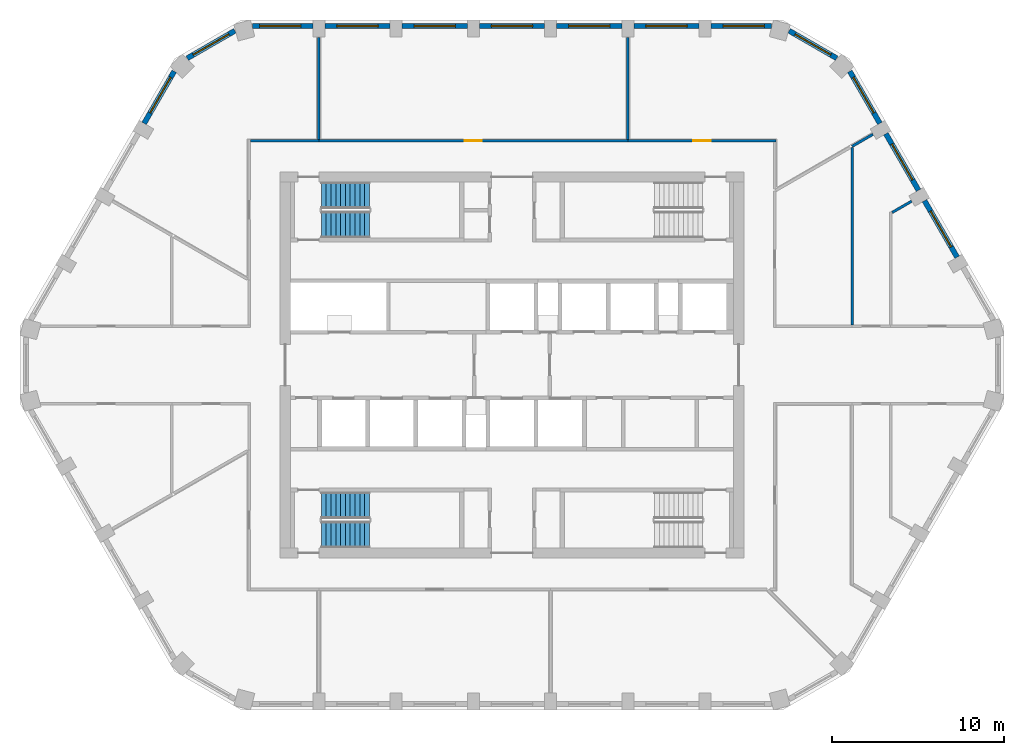
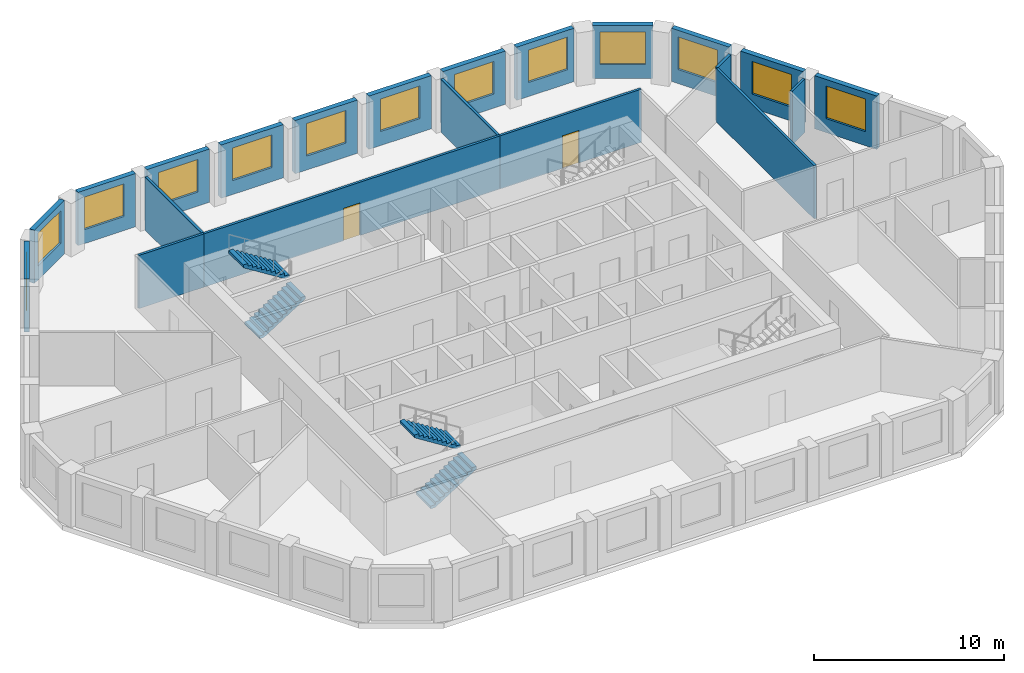
# One storey, part 6 of 11: 21 walls, 13 windows, 4 stair flights, 2 doors, 15 openings, 2 elements without a shape of their own.
"""IFC4 building model written with IfcOpenShell, lengths in metres."""

from ifc_helpers import new_model, si_unit, direction, frame, frame_2d, origin, place, context, subcontext, project, spatial, polyline, rectangle, outline, extrude, material, layer, layer_set, type_object, element, fill, aggregate, save


model = new_model("IFC4")

# Units and contexts
model_context = context("Model", 3, precision=1e-05, world=origin(), true_north=direction((0.0, 1.0)))
body_context = subcontext(model_context, "Body", "Model", "MODEL_VIEW")
ifc_project = project(units=[si_unit("LENGTHUNIT", "METRE"), si_unit("AREAUNIT", "SQUARE_METRE"), si_unit("VOLUMEUNIT", "CUBIC_METRE"), si_unit("PLANEANGLEUNIT", "RADIAN"), si_unit("MASSUNIT", "GRAM", prefix="KILO")], contexts=[model_context])

# Site, building, storey
site_placement = place(None, origin())
site = spatial("IfcSite", under=ifc_project, at=site_placement, CompositionType="ELEMENT")
building_placement = place(site_placement, origin())
building = spatial("IfcBuilding", under=site, at=building_placement, Name="Dhurran Vertical Campus", CompositionType="ELEMENT")
storey_placement = place(building_placement, frame((0.0, 0.0, 278.10009765625)))
storey = spatial("IfcBuildingStorey", under=building, at=storey_placement, Name="L69", CompositionType="ELEMENT", Elevation=278.10009765625)

# Wall, opening, window
ifc_material_1 = material(Name="Precast concrete C50/60", Category="concrete")
ifc_layer_1 = layer(ifc_material_1, 0.300048828125)
ifc_layer_set_1 = layer_set([ifc_layer_1], Name="Precast concrete C50/60")
wall_type_1 = type_object("IfcWallType", Name="Precast spandrel wall 300", PredefinedType="SOLIDWALL", material=ifc_layer_set_1)
wall_1_placement = place(storey_placement, frame((25.918701171875, 6.275634765625, 0.0), z_axis=(0.0, 0.0, 1.0), x_axis=(-0.499982058975, 0.866035761792, 0.0)))
wall_1 = element("IfcWall", 1, at=wall_1_placement, inside=storey, type_object=wall_type_1, Name="EW1 L69.14", PredefinedType="SOLIDWALL", context=body_context, shape_type="SweptSolid", body=[
    extrude(rectangle(XDim=3.799072265625, YDim=0.300048828125, at=frame_2d((1.8994140625, 0.0))), origin(), (0.0, 0.0, 1.0), 3.4248046875),
])
opening_1_placement = place(wall_1_placement, frame((0.699462890625, 0.0, 0.89990234375)))
opening_1 = element("IfcOpeningElement", 2, at=opening_1_placement, cuts=wall_1, Name="Opening WT1", PredefinedType="OPENING", context=body_context, shape_type="SweptSolid", body=[
    extrude(rectangle(XDim=2.39990234375, YDim=2.10009765625, at=frame_2d((1.199951171875, 1.050048828125))), frame((0.0, 0.159912109375, 0.0), z_axis=(0.0, -1.0, 0.0), x_axis=(1.0, 0.0, 0.0)), (0.0, 0.0, 1.0), 0.320068359375),
])
ifc_material_2 = material(Name="Aluminium frame with solar-control glass", Category="aluminium")
window_type = type_object("IfcWindowType", Name="Punched window 2400 x 2100", PartitioningType="SINGLE_PANEL", PredefinedType="WINDOW", material=ifc_material_2)
window_1_placement = place(opening_1_placement, origin())
window_1 = element("IfcWindow", 3, at=window_1_placement, inside=storey, type_object=window_type, Name="WT1 L69.14", OverallHeight=2.10009765625, OverallWidth=2.39990234375, PartitioningType="SINGLE_PANEL", PredefinedType="WINDOW", context=body_context, shape_type="SweptSolid", body=[
    extrude(rectangle(XDim=2.39990234375, YDim=2.10009765625, at=frame_2d((1.199951171875, 1.050048828125))), frame((0.0, 0.030029296875, 0.0), z_axis=(0.0, -1.0, 0.0), x_axis=(1.0, 0.0, 0.0)), (0.0, 0.0, 1.0), 0.06005859375),
])
fill(opening_1, window_1)

wall_2_placement = place(storey_placement, frame((23.668701171875, 10.1728515625, 0.0), z_axis=(0.0, 0.0, 1.0), x_axis=(-0.499982058975, 0.866035761792, 0.0)))
wall_2 = element("IfcWall", 4, at=wall_2_placement, inside=storey, type_object=wall_type_1, Name="EW1 L69.15", PredefinedType="SOLIDWALL", context=body_context, shape_type="SweptSolid", body=[
    extrude(rectangle(XDim=3.799072265625, YDim=0.300048828125, at=frame_2d((1.8994140625, 0.0))), origin(), (0.0, 0.0, 1.0), 3.4248046875),
])
opening_2_placement = place(wall_2_placement, frame((0.699462890625, 0.0, 0.89990234375)))
opening_2 = element("IfcOpeningElement", 5, at=opening_2_placement, cuts=wall_2, Name="Opening WT1", PredefinedType="OPENING", context=body_context, shape_type="SweptSolid", body=[
    extrude(rectangle(XDim=2.39990234375, YDim=2.10009765625, at=frame_2d((1.199951171875, 1.050048828125))), frame((0.0, 0.159912109375, 0.0), z_axis=(0.0, -1.0, 0.0), x_axis=(1.0, 0.0, 0.0)), (0.0, 0.0, 1.0), 0.320068359375),
])
window_2_placement = place(opening_2_placement, origin())
window_2 = element("IfcWindow", 6, at=window_2_placement, inside=storey, type_object=window_type, Name="WT1 L69.15", OverallHeight=2.10009765625, OverallWidth=2.39990234375, PartitioningType="SINGLE_PANEL", PredefinedType="WINDOW", context=body_context, shape_type="SweptSolid", body=[
    extrude(rectangle(XDim=2.39990234375, YDim=2.10009765625, at=frame_2d((1.199951171875, 1.050048828125))), frame((0.0, 0.030029296875, 0.0), z_axis=(0.0, -1.0, 0.0), x_axis=(1.0, 0.0, 0.0)), (0.0, 0.0, 1.0), 0.06005859375),
])
fill(opening_2, window_2)

wall_3_placement = place(storey_placement, frame((21.418701171875, 14.06982421875, 0.0), z_axis=(0.0, 0.0, 1.0), x_axis=(-0.499960102815, 0.866048437209, 0.0)))
wall_3 = element("IfcWall", 7, at=wall_3_placement, inside=storey, type_object=wall_type_1, Name="EW1 L69.16", PredefinedType="SOLIDWALL", context=body_context, shape_type="SweptSolid", body=[
    extrude(rectangle(XDim=3.497802734375, YDim=0.300048828125, at=frame_2d((1.7490234375, 0.0))), origin(), (0.0, 0.0, 1.0), 3.4248046875),
])
opening_3_placement = place(wall_3_placement, frame((0.699462890625, 0.0, 0.89990234375)))
opening_3 = element("IfcOpeningElement", 8, at=opening_3_placement, cuts=wall_3, Name="Opening WT1", PredefinedType="OPENING", context=body_context, shape_type="SweptSolid", body=[
    extrude(rectangle(XDim=2.39990234375, YDim=2.10009765625, at=frame_2d((1.199951171875, 1.050048828125))), frame((0.0, 0.159912109375, 0.0), z_axis=(0.0, -1.0, 0.0), x_axis=(1.0, 0.0, 0.0)), (0.0, 0.0, 1.0), 0.320068359375),
])
window_3_placement = place(opening_3_placement, origin())
window_3 = element("IfcWindow", 9, at=window_3_placement, inside=storey, type_object=window_type, Name="WT1 L69.16", OverallHeight=2.10009765625, OverallWidth=2.39990234375, PartitioningType="SINGLE_PANEL", PredefinedType="WINDOW", context=body_context, shape_type="SweptSolid", body=[
    extrude(rectangle(XDim=2.39990234375, YDim=2.10009765625, at=frame_2d((1.199951171875, 1.050048828125))), frame((0.0, 0.030029296875, 0.0), z_axis=(0.0, -1.0, 0.0), x_axis=(1.0, 0.0, 0.0)), (0.0, 0.0, 1.0), 0.06005859375),
])
fill(opening_3, window_3)

wall_4_placement = place(storey_placement, frame((18.90771484375, 17.861328125, 0.0), z_axis=(0.0, 0.0, 1.0), x_axis=(-0.866025316205, 0.500000151692, 0.0)))
wall_4 = element("IfcWall", 10, at=wall_4_placement, inside=storey, type_object=wall_type_1, Name="EW1 L69.17", PredefinedType="SOLIDWALL", context=body_context, shape_type="SweptSolid", body=[
    extrude(rectangle(XDim=3.1962890625, YDim=0.300048828125, at=frame_2d((1.59814453125, 0.0))), origin(), (0.0, 0.0, 1.0), 3.4248046875),
])
opening_4_placement = place(wall_4_placement, frame((0.398193359375, 0.0, 0.89990234375)))
opening_4 = element("IfcOpeningElement", 11, at=opening_4_placement, cuts=wall_4, Name="Opening WT1", PredefinedType="OPENING", context=body_context, shape_type="SweptSolid", body=[
    extrude(rectangle(XDim=2.39990234375, YDim=2.10009765625, at=frame_2d((1.199951171875, 1.050048828125))), frame((0.0, 0.159912109375, 0.0), z_axis=(0.0, -1.0, 0.0), x_axis=(1.0, 0.0, 0.0)), (0.0, 0.0, 1.0), 0.320068359375),
])
window_4_placement = place(opening_4_placement, origin())
window_4 = element("IfcWindow", 12, at=window_4_placement, inside=storey, type_object=window_type, Name="WT1 L69.17", OverallHeight=2.10009765625, OverallWidth=2.39990234375, PartitioningType="SINGLE_PANEL", PredefinedType="WINDOW", context=body_context, shape_type="SweptSolid", body=[
    extrude(rectangle(XDim=2.39990234375, YDim=2.10009765625, at=frame_2d((1.199951171875, 1.050048828125))), frame((0.0, 0.030029296875, 0.0), z_axis=(0.0, -1.0, 0.0), x_axis=(1.0, 0.0, 0.0)), (0.0, 0.0, 1.0), 0.06005859375),
])
fill(opening_4, window_4)

wall_5_placement = place(storey_placement, frame((15.09814453125, 19.738525390625, 0.0), z_axis=(0.0, 0.0, 1.0), x_axis=(-1.0, 0.0, 0.0)))
wall_5 = element("IfcWall", 13, at=wall_5_placement, inside=storey, type_object=wall_type_1, Name="EW1 L69.18", PredefinedType="SOLIDWALL", context=body_context, shape_type="SweptSolid", body=[
    extrude(rectangle(XDim=3.49755859375, YDim=0.300048828125, at=frame_2d((1.748779296875, 0.0))), origin(), (0.0, 0.0, 1.0), 3.4248046875),
])
opening_5_placement = place(wall_5_placement, frame((0.398193359375, 0.0, 0.89990234375)))
opening_5 = element("IfcOpeningElement", 14, at=opening_5_placement, cuts=wall_5, Name="Opening WT1", PredefinedType="OPENING", context=body_context, shape_type="SweptSolid", body=[
    extrude(rectangle(XDim=2.39990234375, YDim=2.10009765625, at=frame_2d((1.199951171875, 1.050048828125))), frame((0.0, 0.159912109375, 0.0), z_axis=(0.0, -1.0, 0.0), x_axis=(1.0, 0.0, 0.0)), (0.0, 0.0, 1.0), 0.320068359375),
])
window_5_placement = place(opening_5_placement, origin())
window_5 = element("IfcWindow", 15, at=window_5_placement, inside=storey, type_object=window_type, Name="WT1 L69.18", OverallHeight=2.10009765625, OverallWidth=2.39990234375, PartitioningType="SINGLE_PANEL", PredefinedType="WINDOW", context=body_context, shape_type="SweptSolid", body=[
    extrude(rectangle(XDim=2.39990234375, YDim=2.10009765625, at=frame_2d((1.199951171875, 1.050048828125))), frame((0.0, 0.030029296875, 0.0), z_axis=(0.0, -1.0, 0.0), x_axis=(1.0, 0.0, 0.0)), (0.0, 0.0, 1.0), 0.06005859375),
])
fill(opening_5, window_5)

wall_6_placement = place(storey_placement, frame((10.8994140625, 19.738525390625, 0.0), z_axis=(0.0, 0.0, 1.0), x_axis=(-1.0, 0.0, 0.0)))
wall_6 = element("IfcWall", 16, at=wall_6_placement, inside=storey, type_object=wall_type_1, Name="EW1 L69.19", PredefinedType="SOLIDWALL", context=body_context, shape_type="SweptSolid", body=[
    extrude(rectangle(XDim=3.798828125, YDim=0.300048828125, at=frame_2d((1.8994140625, 0.0))), origin(), (0.0, 0.0, 1.0), 3.4248046875),
])
opening_6_placement = place(wall_6_placement, frame((0.699462890625, 0.0, 0.89990234375)))
opening_6 = element("IfcOpeningElement", 17, at=opening_6_placement, cuts=wall_6, Name="Opening WT1", PredefinedType="OPENING", context=body_context, shape_type="SweptSolid", body=[
    extrude(rectangle(XDim=2.39990234375, YDim=2.10009765625, at=frame_2d((1.199951171875, 1.050048828125))), frame((0.0, 0.159912109375, 0.0), z_axis=(0.0, -1.0, 0.0), x_axis=(1.0, 0.0, 0.0)), (0.0, 0.0, 1.0), 0.320068359375),
])
window_6_placement = place(opening_6_placement, origin())
window_6 = element("IfcWindow", 18, at=window_6_placement, inside=storey, type_object=window_type, Name="WT1 L69.19", OverallHeight=2.10009765625, OverallWidth=2.39990234375, PartitioningType="SINGLE_PANEL", PredefinedType="WINDOW", context=body_context, shape_type="SweptSolid", body=[
    extrude(rectangle(XDim=2.39990234375, YDim=2.10009765625, at=frame_2d((1.199951171875, 1.050048828125))), frame((0.0, 0.030029296875, 0.0), z_axis=(0.0, -1.0, 0.0), x_axis=(1.0, 0.0, 0.0)), (0.0, 0.0, 1.0), 0.06005859375),
])
fill(opening_6, window_6)

wall_7_placement = place(storey_placement, frame((6.3994140625, 19.738525390625, 0.0), z_axis=(0.0, 0.0, 1.0), x_axis=(-1.0, 0.0, 0.0)))
wall_7 = element("IfcWall", 19, at=wall_7_placement, inside=storey, type_object=wall_type_1, Name="EW1 L69.20", PredefinedType="SOLIDWALL", context=body_context, shape_type="SweptSolid", body=[
    extrude(rectangle(XDim=3.798828125, YDim=0.300048828125, at=frame_2d((1.8994140625, 0.0))), origin(), (0.0, 0.0, 1.0), 3.4248046875),
])
opening_7_placement = place(wall_7_placement, frame((0.699462890625, 0.0, 0.89990234375)))
opening_7 = element("IfcOpeningElement", 20, at=opening_7_placement, cuts=wall_7, Name="Opening WT1", PredefinedType="OPENING", context=body_context, shape_type="SweptSolid", body=[
    extrude(rectangle(XDim=2.39990234375, YDim=2.10009765625, at=frame_2d((1.199951171875, 1.050048828125))), frame((0.0, 0.159912109375, 0.0), z_axis=(0.0, -1.0, 0.0), x_axis=(1.0, 0.0, 0.0)), (0.0, 0.0, 1.0), 0.320068359375),
])
window_7_placement = place(opening_7_placement, origin())
window_7 = element("IfcWindow", 21, at=window_7_placement, inside=storey, type_object=window_type, Name="WT1 L69.20", OverallHeight=2.10009765625, OverallWidth=2.39990234375, PartitioningType="SINGLE_PANEL", PredefinedType="WINDOW", context=body_context, shape_type="SweptSolid", body=[
    extrude(rectangle(XDim=2.39990234375, YDim=2.10009765625, at=frame_2d((1.199951171875, 1.050048828125))), frame((0.0, 0.030029296875, 0.0), z_axis=(0.0, -1.0, 0.0), x_axis=(1.0, 0.0, 0.0)), (0.0, 0.0, 1.0), 0.06005859375),
])
fill(opening_7, window_7)

wall_8_placement = place(storey_placement, frame((1.8994140625, 19.738525390625, 0.0), z_axis=(0.0, 0.0, 1.0), x_axis=(-1.0, 0.0, 0.0)))
wall_8 = element("IfcWall", 22, at=wall_8_placement, inside=storey, type_object=wall_type_1, Name="EW1 L69.21", PredefinedType="SOLIDWALL", context=body_context, shape_type="SweptSolid", body=[
    extrude(rectangle(XDim=3.798828125, YDim=0.300048828125, at=frame_2d((1.8994140625, 0.0))), origin(), (0.0, 0.0, 1.0), 3.4248046875),
])
opening_8_placement = place(wall_8_placement, frame((0.699462890625, 0.0, 0.89990234375)))
opening_8 = element("IfcOpeningElement", 23, at=opening_8_placement, cuts=wall_8, Name="Opening WT1", PredefinedType="OPENING", context=body_context, shape_type="SweptSolid", body=[
    extrude(rectangle(XDim=2.39990234375, YDim=2.10009765625, at=frame_2d((1.199951171875, 1.050048828125))), frame((0.0, 0.159912109375, 0.0), z_axis=(0.0, -1.0, 0.0), x_axis=(1.0, 0.0, 0.0)), (0.0, 0.0, 1.0), 0.320068359375),
])
window_8_placement = place(opening_8_placement, origin())
window_8 = element("IfcWindow", 24, at=window_8_placement, inside=storey, type_object=window_type, Name="WT1 L69.21", OverallHeight=2.10009765625, OverallWidth=2.39990234375, PartitioningType="SINGLE_PANEL", PredefinedType="WINDOW", context=body_context, shape_type="SweptSolid", body=[
    extrude(rectangle(XDim=2.39990234375, YDim=2.10009765625, at=frame_2d((1.199951171875, 1.050048828125))), frame((0.0, 0.030029296875, 0.0), z_axis=(0.0, -1.0, 0.0), x_axis=(1.0, 0.0, 0.0)), (0.0, 0.0, 1.0), 0.06005859375),
])
fill(opening_8, window_8)

wall_9_placement = place(storey_placement, frame((-2.6005859375, 19.738525390625, 0.0), z_axis=(0.0, 0.0, 1.0), x_axis=(-1.0, 0.0, 0.0)))
wall_9 = element("IfcWall", 25, at=wall_9_placement, inside=storey, type_object=wall_type_1, Name="EW1 L69.22", PredefinedType="SOLIDWALL", context=body_context, shape_type="SweptSolid", body=[
    extrude(rectangle(XDim=3.798828125, YDim=0.300048828125, at=frame_2d((1.8994140625, 0.0))), origin(), (0.0, 0.0, 1.0), 3.4248046875),
])
opening_9_placement = place(wall_9_placement, frame((0.699462890625, 0.0, 0.89990234375)))
opening_9 = element("IfcOpeningElement", 26, at=opening_9_placement, cuts=wall_9, Name="Opening WT1", PredefinedType="OPENING", context=body_context, shape_type="SweptSolid", body=[
    extrude(rectangle(XDim=2.39990234375, YDim=2.10009765625, at=frame_2d((1.199951171875, 1.050048828125))), frame((0.0, 0.159912109375, 0.0), z_axis=(0.0, -1.0, 0.0), x_axis=(1.0, 0.0, 0.0)), (0.0, 0.0, 1.0), 0.320068359375),
])
window_9_placement = place(opening_9_placement, origin())
window_9 = element("IfcWindow", 27, at=window_9_placement, inside=storey, type_object=window_type, Name="WT1 L69.22", OverallHeight=2.10009765625, OverallWidth=2.39990234375, PartitioningType="SINGLE_PANEL", PredefinedType="WINDOW", context=body_context, shape_type="SweptSolid", body=[
    extrude(rectangle(XDim=2.39990234375, YDim=2.10009765625, at=frame_2d((1.199951171875, 1.050048828125))), frame((0.0, 0.030029296875, 0.0), z_axis=(0.0, -1.0, 0.0), x_axis=(1.0, 0.0, 0.0)), (0.0, 0.0, 1.0), 0.06005859375),
])
fill(opening_9, window_9)

wall_10_placement = place(storey_placement, frame((-7.1005859375, 19.738525390625, 0.0), z_axis=(0.0, 0.0, 1.0), x_axis=(-1.0, 0.0, 0.0)))
wall_10 = element("IfcWall", 28, at=wall_10_placement, inside=storey, type_object=wall_type_1, Name="EW1 L69.23", PredefinedType="SOLIDWALL", context=body_context, shape_type="SweptSolid", body=[
    extrude(rectangle(XDim=3.798828125, YDim=0.300048828125, at=frame_2d((1.8994140625, 0.0))), origin(), (0.0, 0.0, 1.0), 3.4248046875),
])
opening_10_placement = place(wall_10_placement, frame((0.699462890625, 0.0, 0.89990234375)))
opening_10 = element("IfcOpeningElement", 29, at=opening_10_placement, cuts=wall_10, Name="Opening WT1", PredefinedType="OPENING", context=body_context, shape_type="SweptSolid", body=[
    extrude(rectangle(XDim=2.39990234375, YDim=2.10009765625, at=frame_2d((1.199951171875, 1.050048828125))), frame((0.0, 0.159912109375, 0.0), z_axis=(0.0, -1.0, 0.0), x_axis=(1.0, 0.0, 0.0)), (0.0, 0.0, 1.0), 0.320068359375),
])
window_10_placement = place(opening_10_placement, origin())
window_10 = element("IfcWindow", 30, at=window_10_placement, inside=storey, type_object=window_type, Name="WT1 L69.23", OverallHeight=2.10009765625, OverallWidth=2.39990234375, PartitioningType="SINGLE_PANEL", PredefinedType="WINDOW", context=body_context, shape_type="SweptSolid", body=[
    extrude(rectangle(XDim=2.39990234375, YDim=2.10009765625, at=frame_2d((1.199951171875, 1.050048828125))), frame((0.0, 0.030029296875, 0.0), z_axis=(0.0, -1.0, 0.0), x_axis=(1.0, 0.0, 0.0)), (0.0, 0.0, 1.0), 0.06005859375),
])
fill(opening_10, window_10)

wall_11_placement = place(storey_placement, frame((-11.6005859375, 19.738525390625, 0.0), z_axis=(0.0, 0.0, 1.0), x_axis=(-1.0, 0.0, 0.0)))
wall_11 = element("IfcWall", 31, at=wall_11_placement, inside=storey, type_object=wall_type_1, Name="EW1 L69.24", PredefinedType="SOLIDWALL", context=body_context, shape_type="SweptSolid", body=[
    extrude(rectangle(XDim=3.49755859375, YDim=0.300048828125, at=frame_2d((1.748779296875, 0.0))), origin(), (0.0, 0.0, 1.0), 3.4248046875),
])
opening_11_placement = place(wall_11_placement, frame((0.699462890625, 0.0, 0.89990234375)))
opening_11 = element("IfcOpeningElement", 32, at=opening_11_placement, cuts=wall_11, Name="Opening WT1", PredefinedType="OPENING", context=body_context, shape_type="SweptSolid", body=[
    extrude(rectangle(XDim=2.39990234375, YDim=2.10009765625, at=frame_2d((1.199951171875, 1.050048828125))), frame((0.0, 0.159912109375, 0.0), z_axis=(0.0, -1.0, 0.0), x_axis=(1.0, 0.0, 0.0)), (0.0, 0.0, 1.0), 0.320068359375),
])
window_11_placement = place(opening_11_placement, origin())
window_11 = element("IfcWindow", 33, at=window_11_placement, inside=storey, type_object=window_type, Name="WT1 L69.24", OverallHeight=2.10009765625, OverallWidth=2.39990234375, PartitioningType="SINGLE_PANEL", PredefinedType="WINDOW", context=body_context, shape_type="SweptSolid", body=[
    extrude(rectangle(XDim=2.39990234375, YDim=2.10009765625, at=frame_2d((1.199951171875, 1.050048828125))), frame((0.0, 0.030029296875, 0.0), z_axis=(0.0, -1.0, 0.0), x_axis=(1.0, 0.0, 0.0)), (0.0, 0.0, 1.0), 0.06005859375),
])
fill(opening_11, window_11)

wall_12_placement = place(storey_placement, frame((-16.1396484375, 19.45947265625, 0.0), z_axis=(0.0, 0.0, 1.0), x_axis=(-0.866025316205, -0.500000151692, 0.0)))
wall_12 = element("IfcWall", 34, at=wall_12_placement, inside=storey, type_object=wall_type_1, Name="EW1 L69.25", PredefinedType="SOLIDWALL", context=body_context, shape_type="SweptSolid", body=[
    extrude(rectangle(XDim=3.1962890625, YDim=0.300048828125, at=frame_2d((1.59814453125, 0.0))), origin(), (0.0, 0.0, 1.0), 3.4248046875),
])
opening_12_placement = place(wall_12_placement, frame((0.398193359375, 0.0, 0.89990234375)))
opening_12 = element("IfcOpeningElement", 35, at=opening_12_placement, cuts=wall_12, Name="Opening WT1", PredefinedType="OPENING", context=body_context, shape_type="SweptSolid", body=[
    extrude(rectangle(XDim=2.39990234375, YDim=2.10009765625, at=frame_2d((1.199951171875, 1.050048828125))), frame((0.0, 0.159912109375, 0.0), z_axis=(0.0, -1.0, 0.0), x_axis=(1.0, 0.0, 0.0)), (0.0, 0.0, 1.0), 0.320068359375),
])
window_12_placement = place(opening_12_placement, origin())
window_12 = element("IfcWindow", 36, at=window_12_placement, inside=storey, type_object=window_type, Name="WT1 L69.25", OverallHeight=2.10009765625, OverallWidth=2.39990234375, PartitioningType="SINGLE_PANEL", PredefinedType="WINDOW", context=body_context, shape_type="SweptSolid", body=[
    extrude(rectangle(XDim=2.39990234375, YDim=2.10009765625, at=frame_2d((1.199951171875, 1.050048828125))), frame((0.0, 0.030029296875, 0.0), z_axis=(0.0, -1.0, 0.0), x_axis=(1.0, 0.0, 0.0)), (0.0, 0.0, 1.0), 0.06005859375),
])
fill(opening_12, window_12)

wall_13_placement = place(storey_placement, frame((-19.669921875, 17.09912109375, 0.0), z_axis=(0.0, 0.0, 1.0), x_axis=(-0.499960102815, -0.866048437209, 0.0)))
wall_13 = element("IfcWall", 37, at=wall_13_placement, inside=storey, type_object=wall_type_1, Name="EW1 L69.26", PredefinedType="SOLIDWALL", context=body_context, shape_type="SweptSolid", body=[
    extrude(rectangle(XDim=3.497802734375, YDim=0.300048828125, at=frame_2d((1.7490234375, 0.0))), origin(), (0.0, 0.0, 1.0), 3.4248046875),
])
opening_13_placement = place(wall_13_placement, frame((0.398193359375, 0.0, 0.89990234375)))
opening_13 = element("IfcOpeningElement", 38, at=opening_13_placement, cuts=wall_13, Name="Opening WT1", PredefinedType="OPENING", context=body_context, shape_type="SweptSolid", body=[
    extrude(rectangle(XDim=2.39990234375, YDim=2.10009765625, at=frame_2d((1.199951171875, 1.050048828125))), frame((0.0, 0.159912109375, 0.0), z_axis=(0.0, -1.0, 0.0), x_axis=(1.0, 0.0, 0.0)), (0.0, 0.0, 1.0), 0.320068359375),
])
window_13_placement = place(opening_13_placement, origin())
window_13 = element("IfcWindow", 39, at=window_13_placement, inside=storey, type_object=window_type, Name="WT1 L69.26", OverallHeight=2.10009765625, OverallWidth=2.39990234375, PartitioningType="SINGLE_PANEL", PredefinedType="WINDOW", context=body_context, shape_type="SweptSolid", body=[
    extrude(rectangle(XDim=2.39990234375, YDim=2.10009765625, at=frame_2d((1.199951171875, 1.050048828125))), frame((0.0, 0.030029296875, 0.0), z_axis=(0.0, -1.0, 0.0), x_axis=(1.0, 0.0, 0.0)), (0.0, 0.0, 1.0), 0.06005859375),
])
fill(opening_13, window_13)

# Wall
ifc_material_3 = material(Name="Gypsum board corridor wall on steel studs", Category="steel")
ifc_layer_2 = layer(ifc_material_3, 0.14990234375)
ifc_layer_set_2 = layer_set([ifc_layer_2], Name="Gypsum board corridor wall on steel studs")
wall_type_2 = type_object("IfcWallType", Name="fl-CW-150 corridor wall", PredefinedType="PARTITIONING", material=ifc_layer_set_2)
wall_14_placement = place(storey_placement, frame((-11.25, 13.050048828125, 0.0), z_axis=(0.0, 0.0, 1.0), x_axis=(-1.0, 0.0, 0.0)))
element("IfcWall", 40, at=wall_14_placement, inside=storey, type_object=wall_type_2, Name="Partition 69-16", PredefinedType="PARTITIONING", context=body_context, shape_type="SweptSolid", body=[
    extrude(rectangle(XDim=3.97509765625, YDim=0.14990234375, at=frame_2d((1.987548828125, 0.0))), origin(), (0.0, 0.0, 1.0), 3.4248046875),
])

# Wall, opening, door
wall_15_placement = place(storey_placement, frame((6.75, 13.050048828125, 0.0), z_axis=(0.0, 0.0, 1.0), x_axis=(-1.0, 0.0, 0.0)))
wall_15 = element("IfcWall", 41, at=wall_15_placement, inside=storey, type_object=wall_type_2, Name="Partition 69-20", PredefinedType="PARTITIONING", context=body_context, shape_type="SweptSolid", body=[
    extrude(rectangle(XDim=18.0, YDim=0.14990234375, at=frame_2d((9.0, 0.0))), origin(), (0.0, 0.0, 1.0), 3.4248046875),
])
opening_14_placement = place(wall_15_placement, frame((8.5, 0.0, 0.0)))
opening_14 = element("IfcOpeningElement", 42, at=opening_14_placement, cuts=wall_15, Name="Opening T20.08", PredefinedType="OPENING", context=body_context, shape_type="SweptSolid", body=[
    extrude(rectangle(XDim=1.0, YDim=2.10009765625, at=frame_2d((0.5, 1.050048828125))), frame((0.0, 0.0849609375, 0.0), z_axis=(0.0, -1.0, 0.0), x_axis=(1.0, 0.0, 0.0)), (0.0, 0.0, 1.0), 0.169921875),
])
ifc_material_4 = material(Name="Solid-core timber door set, fire-rated", Category="wood")
door_type = type_object("IfcDoorType", Name="fl-D-1000x2100", OperationType="SINGLE_SWING_LEFT", PredefinedType="DOOR", material=ifc_material_4)
door_1_placement = place(opening_14_placement, origin())
door_1 = element("IfcDoor", 43, at=door_1_placement, inside=storey, type_object=door_type, Name="Door 69.08", OperationType="SINGLE_SWING_RIGHT", OverallHeight=2.10009765625, OverallWidth=1.0, PredefinedType="DOOR", context=body_context, shape_type="SweptSolid", body=[
    extrude(rectangle(XDim=1.0, YDim=2.10009765625, at=frame_2d((0.5, 1.050048828125))), frame((0.0, 0.02490234375, 0.0), z_axis=(0.0, -1.0, 0.0), x_axis=(1.0, 0.0, 0.0)), (0.0, 0.0, 1.0), 0.050048828125),
])
fill(opening_14, door_1)

wall_16_placement = place(storey_placement, frame((15.375, 13.050048828125, 0.0), z_axis=(0.0, 0.0, 1.0), x_axis=(-1.0, 0.0, 0.0)))
wall_16 = element("IfcWall", 44, at=wall_16_placement, inside=storey, type_object=wall_type_2, Name="Partition 69-24", PredefinedType="PARTITIONING", context=body_context, shape_type="SweptSolid", body=[
    extrude(rectangle(XDim=8.625, YDim=0.14990234375, at=frame_2d((4.3125, 0.0))), origin(), (0.0, 0.0, 1.0), 3.4248046875),
])
opening_15_placement = place(wall_16_placement, frame((3.8125, 0.0, 0.0)))
opening_15 = element("IfcOpeningElement", 45, at=opening_15_placement, cuts=wall_16, Name="Opening T20.10", PredefinedType="OPENING", context=body_context, shape_type="SweptSolid", body=[
    extrude(rectangle(XDim=1.0, YDim=2.10009765625, at=frame_2d((0.5, 1.050048828125))), frame((0.0, 0.0849609375, 0.0), z_axis=(0.0, -1.0, 0.0), x_axis=(1.0, 0.0, 0.0)), (0.0, 0.0, 1.0), 0.169921875),
])
door_2_placement = place(opening_15_placement, origin())
door_2 = element("IfcDoor", 46, at=door_2_placement, inside=storey, type_object=door_type, Name="Door 69.10", OperationType="SINGLE_SWING_RIGHT", OverallHeight=2.10009765625, OverallWidth=1.0, PredefinedType="DOOR", context=body_context, shape_type="SweptSolid", body=[
    extrude(rectangle(XDim=1.0, YDim=2.10009765625, at=frame_2d((0.5, 1.050048828125))), frame((0.0, 0.02490234375, 0.0), z_axis=(0.0, -1.0, 0.0), x_axis=(1.0, 0.0, 0.0)), (0.0, 0.0, 1.0), 0.050048828125),
])
fill(opening_15, door_2)

# Walls
ifc_material_5 = material(Name="Gypsum board partition on steel studs", Category="steel")
ifc_layer_3 = layer(ifc_material_5, 0.14990234375)
ifc_layer_set_3 = layer_set([ifc_layer_3], Name="Gypsum board partition on steel studs")
wall_type_3 = type_object("IfcWallType", Name="fl-PW-150 fixed partition", PredefinedType="PARTITIONING", material=ifc_layer_set_3)
for number, where, z_axis, x_axis, name in (
    (47, (-11.25, 19.068603515625, 0.0), (0.0, 0.0, 1.0), (0.0, -1.0, 0.0), "Partition 69-19"),
    (48, (6.75, 19.068603515625, 0.0), (0.0, 0.0, 1.0), (0.0, -1.0, 0.0), "Partition 69-23"),
):
    element("IfcWall", number, at=place(storey_placement, frame(where, z_axis=z_axis, x_axis=x_axis)), inside=storey, type_object=wall_type_3, Name=name, PredefinedType="PARTITIONING", context=body_context, shape_type="SweptSolid", body=[
        extrude(rectangle(XDim=5.943603515625, YDim=0.14990234375, at=frame_2d((2.9716796875, 0.0))), origin(), (0.0, 0.0, 1.0), 3.4248046875),
    ])
wall_17_placement = place(storey_placement, frame((19.800048828125, 12.655029296875, 0.0), z_axis=(0.0, 0.0, 1.0), x_axis=(0.0, -1.0, 0.0)))
element("IfcWall", 49, at=wall_17_placement, inside=storey, type_object=wall_type_3, Name="Partition 69-36", PredefinedType="PARTITIONING", context=body_context, shape_type="SweptSolid", body=[
    extrude(rectangle(XDim=10.330078125, YDim=0.14990234375, at=frame_2d((5.1650390625, 0.0))), origin(), (0.0, 0.0, 1.0), 3.4248046875),
])
wall_18_placement = place(storey_placement, frame((21.013916015625, 13.43115234375, 0.0), z_axis=(0.0, 0.0, 1.0), x_axis=(-0.865918715181, -0.500184744569, 0.0)))
element("IfcWall", 50, at=wall_18_placement, inside=storey, type_object=wall_type_3, Name="Partition 69-38", PredefinedType="PARTITIONING", context=body_context, shape_type="SweptSolid", body=[
    extrude(rectangle(XDim=1.40185546875, YDim=0.14990234375, at=frame_2d((0.700927734375, 0.0))), origin(), (0.0, 0.0, 1.0), 3.4248046875),
])
wall_19_placement = place(storey_placement, frame((23.263916015625, 9.5341796875, 0.0), z_axis=(0.0, 0.0, 1.0), x_axis=(-0.865960725898, -0.500112008656, 0.0)))
element("IfcWall", 51, at=wall_19_placement, inside=storey, type_object=wall_type_3, Name="Partition 69-44", PredefinedType="PARTITIONING", context=body_context, shape_type="SweptSolid", body=[
    extrude(rectangle(XDim=1.302001953125, YDim=0.14990234375, at=frame_2d((0.65087890625, 0.0))), origin(), (0.0, 0.0, 1.0), 3.4248046875),
])

# Stair, stair flights
ifc_material_6 = material(Name="Concrete C40/50", Category="concrete")
stair_type = type_object("IfcStairType", Name="co-ST-CORE", PredefinedType="HALF_TURN_STAIR", material=ifc_material_6)
stair_1_placement = place(storey_placement, origin())
stair_1 = element("IfcStair", 52, at=stair_1_placement, inside=storey, type_object=stair_type, Name="L69 Protected exit stair ST1", PredefinedType="HALF_TURN_STAIR")
ifc_material_7 = material(Name="Concrete C40/50", Category="concrete")
stair_flight_type = type_object("IfcStairFlightType", Name="co-SFL-RC", PredefinedType="STRAIGHT", material=ifc_material_7)
stair_flight_1_placement = place(storey_placement, frame((-11.10009765625, 8.175048828125, 0.0), z_axis=(0.0, 0.0, 1.0), x_axis=(1.0, 0.0, 0.0)))
stair_flight_1 = element("IfcStairFlight", 53, at=stair_flight_1_placement, type_object=stair_flight_type, Name="ST1 flight 1", NumberOfRisers=11, NumberOfTreads=10, PredefinedType="STRAIGHT", RiserHeight=0.177272727, TreadLength=0.28, context=body_context, shape_type="SweptSolid", body=[
    extrude(outline(polyline([(0.0, 0.0), (0.0, 0.17724609375), (0.280029296875, 0.17724609375), (0.280029296875, 0.3544921875), (0.56005859375, 0.3544921875), (0.56005859375, 0.53173828125), (0.840087890625, 0.53173828125), (0.840087890625, 0.708984375), (1.1201171875, 0.708984375), (1.1201171875, 0.886474609375), (1.39990234375, 0.886474609375), (1.39990234375, 1.063720703125), (1.679931640625, 1.063720703125), (1.679931640625, 1.240966796875), (1.9599609375, 1.240966796875), (1.9599609375, 1.418212890625), (2.239990234375, 1.418212890625), (2.239990234375, 1.595458984375), (2.52001953125, 1.595458984375), (2.52001953125, 1.772705078125), (2.800048828125, 1.772705078125), (2.800048828125, 1.949951171875), (2.800048828125, 1.59521484375), (0.2802734375, 0.0), (0.0, 0.0)])), frame((0.0, 0.77490234375, 0.0), z_axis=(0.0, -1.0, 0.0), x_axis=(1.0, 0.0, 0.0)), (0.0, 0.0, 1.0), 1.550048828125),
])
stair_flight_2_placement = place(storey_placement, frame((-8.300048828125, 9.875, 1.949951171875), z_axis=(0.0, 0.0, 1.0), x_axis=(-1.0, 0.0, 0.0)))
stair_flight_2 = element("IfcStairFlight", 54, at=stair_flight_2_placement, type_object=stair_flight_type, Name="ST1 flight 2", NumberOfRisers=11, NumberOfTreads=10, PredefinedType="STRAIGHT", RiserHeight=0.177272727, TreadLength=0.28, context=body_context, shape_type="SweptSolid", body=[
    extrude(outline(polyline([(0.0, 0.0), (0.0, 0.17724609375), (0.280029296875, 0.17724609375), (0.280029296875, 0.3544921875), (0.56005859375, 0.3544921875), (0.56005859375, 0.53173828125), (0.840087890625, 0.53173828125), (0.840087890625, 0.708984375), (1.1201171875, 0.708984375), (1.1201171875, 0.886474609375), (1.39990234375, 0.886474609375), (1.39990234375, 1.063720703125), (1.679931640625, 1.063720703125), (1.679931640625, 1.240966796875), (1.9599609375, 1.240966796875), (1.9599609375, 1.418212890625), (2.239990234375, 1.418212890625), (2.239990234375, 1.595458984375), (2.52001953125, 1.595458984375), (2.52001953125, 1.772705078125), (2.800048828125, 1.772705078125), (2.800048828125, 1.949951171875), (2.800048828125, 1.59521484375), (0.2802734375, 0.0), (0.0, 0.0)])), frame((0.0, 0.77490234375, 0.0), z_axis=(0.0, -1.0, 0.0), x_axis=(1.0, 0.0, 0.0)), (0.0, 0.0, 1.0), 1.550048828125),
])
aggregate(stair_1, [stair_flight_1, stair_flight_2])

stair_2_placement = place(storey_placement, origin())
stair_2 = element("IfcStair", 55, at=stair_2_placement, inside=storey, type_object=stair_type, Name="L69 Protected exit stair ST3", PredefinedType="HALF_TURN_STAIR")
stair_flight_3_placement = place(storey_placement, frame((-11.10009765625, -9.875, 0.0), z_axis=(0.0, 0.0, 1.0), x_axis=(1.0, 0.0, 0.0)))
stair_flight_3 = element("IfcStairFlight", 56, at=stair_flight_3_placement, type_object=stair_flight_type, Name="ST3 flight 1", NumberOfRisers=11, NumberOfTreads=10, PredefinedType="STRAIGHT", RiserHeight=0.177272727, TreadLength=0.28, context=body_context, shape_type="SweptSolid", body=[
    extrude(outline(polyline([(0.0, 0.0), (0.0, 0.17724609375), (0.280029296875, 0.17724609375), (0.280029296875, 0.3544921875), (0.56005859375, 0.3544921875), (0.56005859375, 0.53173828125), (0.840087890625, 0.53173828125), (0.840087890625, 0.708984375), (1.1201171875, 0.708984375), (1.1201171875, 0.886474609375), (1.39990234375, 0.886474609375), (1.39990234375, 1.063720703125), (1.679931640625, 1.063720703125), (1.679931640625, 1.240966796875), (1.9599609375, 1.240966796875), (1.9599609375, 1.418212890625), (2.239990234375, 1.418212890625), (2.239990234375, 1.595458984375), (2.52001953125, 1.595458984375), (2.52001953125, 1.772705078125), (2.800048828125, 1.772705078125), (2.800048828125, 1.949951171875), (2.800048828125, 1.59521484375), (0.2802734375, 0.0), (0.0, 0.0)])), frame((0.0, 0.77490234375, 0.0), z_axis=(0.0, -1.0, 0.0), x_axis=(1.0, 0.0, 0.0)), (0.0, 0.0, 1.0), 1.550048828125),
])
stair_flight_4_placement = place(storey_placement, frame((-8.300048828125, -8.175048828125, 1.949951171875), z_axis=(0.0, 0.0, 1.0), x_axis=(-1.0, 0.0, 0.0)))
stair_flight_4 = element("IfcStairFlight", 57, at=stair_flight_4_placement, type_object=stair_flight_type, Name="ST3 flight 2", NumberOfRisers=11, NumberOfTreads=10, PredefinedType="STRAIGHT", RiserHeight=0.177272727, TreadLength=0.28, context=body_context, shape_type="SweptSolid", body=[
    extrude(outline(polyline([(0.0, 0.0), (0.0, 0.17724609375), (0.280029296875, 0.17724609375), (0.280029296875, 0.3544921875), (0.56005859375, 0.3544921875), (0.56005859375, 0.53173828125), (0.840087890625, 0.53173828125), (0.840087890625, 0.708984375), (1.1201171875, 0.708984375), (1.1201171875, 0.886474609375), (1.39990234375, 0.886474609375), (1.39990234375, 1.063720703125), (1.679931640625, 1.063720703125), (1.679931640625, 1.240966796875), (1.9599609375, 1.240966796875), (1.9599609375, 1.418212890625), (2.239990234375, 1.418212890625), (2.239990234375, 1.595458984375), (2.52001953125, 1.595458984375), (2.52001953125, 1.772705078125), (2.800048828125, 1.772705078125), (2.800048828125, 1.949951171875), (2.800048828125, 1.59521484375), (0.2802734375, 0.0), (0.0, 0.0)])), frame((0.0, 0.77490234375, 0.0), z_axis=(0.0, -1.0, 0.0), x_axis=(1.0, 0.0, 0.0)), (0.0, 0.0, 1.0), 1.550048828125),
])
aggregate(stair_2, [stair_flight_3, stair_flight_4])

save(model, "model.ifc")
